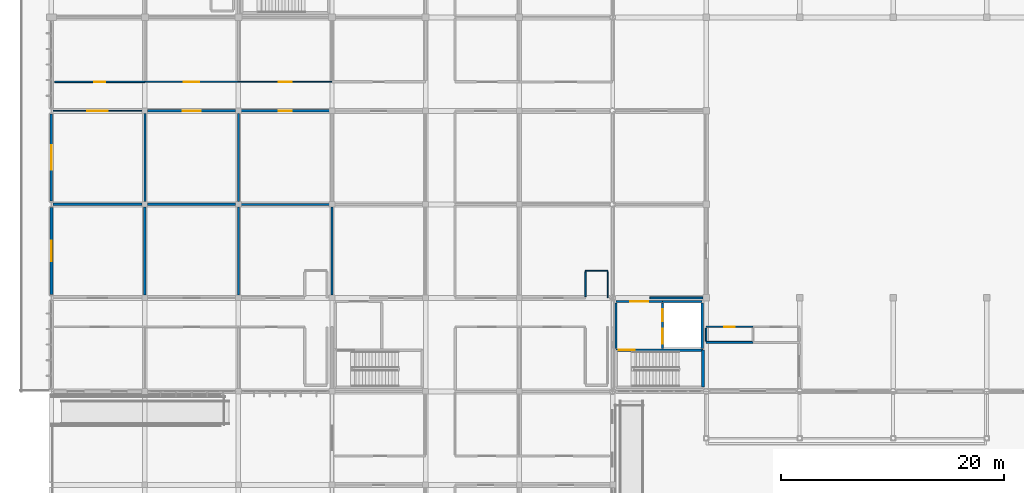
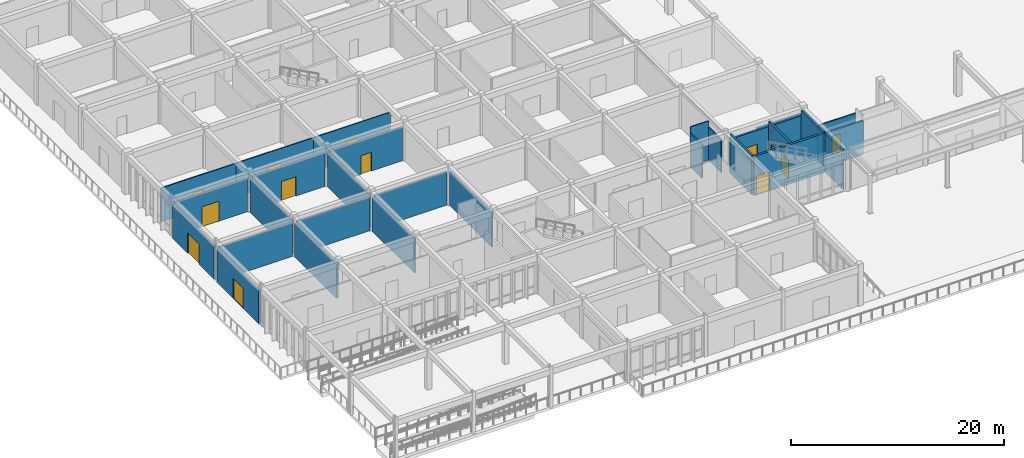
# One storey, part 91 of 138: 30 walls, 13 doors, 13 openings.
"""IFC4 building model written with IfcOpenShell, lengths in metres."""

from ifc_helpers import new_model, si_unit, direction, frame, frame_2d, origin, place, context, subcontext, project, spatial, rectangle, extrude, material, layer, layer_set, type_object, element, fill, save


model = new_model("IFC4")

# Units and contexts
model_context = context("Model", 3, precision=1e-05, world=origin(), true_north=direction((0.0, 1.0)))
body_context = subcontext(model_context, "Body", "Model", "MODEL_VIEW")
ifc_project = project(units=[si_unit("LENGTHUNIT", "METRE"), si_unit("AREAUNIT", "SQUARE_METRE"), si_unit("VOLUMEUNIT", "CUBIC_METRE"), si_unit("PLANEANGLEUNIT", "RADIAN"), si_unit("MASSUNIT", "GRAM", prefix="KILO")], contexts=[model_context])

# Site, building, storey
site_placement = place(None, origin())
site = spatial("IfcSite", under=ifc_project, at=site_placement, CompositionType="ELEMENT")
building_placement = place(site_placement, origin())
building = spatial("IfcBuilding", under=site, at=building_placement, Name="Bramfleet General Hospital", CompositionType="ELEMENT")
storey_placement = place(building_placement, origin())
storey = spatial("IfcBuildingStorey", under=building, at=storey_placement, Name="L00", CompositionType="ELEMENT", Elevation=0.0)

# Wall, opening, door
ifc_material_1 = material(Name="Precast concrete C40/50", Category="concrete")
ifc_layer_1 = layer(ifc_material_1, 0.25, Name="WT-EW-08")
ifc_layer_set_1 = layer_set([ifc_layer_1], Name="Precast concrete C40/50")
wall_type_1 = type_object("IfcWallType", Name="WT-EW-08", PredefinedType="SOLIDWALL", material=ifc_layer_set_1)
wall_1_placement = place(storey_placement, frame((0.0, 25.5, 0.0), z_axis=(0.0, 0.0, 1.0), x_axis=(0.0, 1.0, 0.0)))
wall_1 = element("IfcWall", 1, at=wall_1_placement, inside=storey, type_object=wall_type_1, Name="L00 Exterior Wall 97", PredefinedType="SOLIDWALL", context=body_context, shape_type="SweptSolid", body=[
    extrude(rectangle(XDim=7.800048828125, YDim=0.25, at=frame_2d((3.89990234375, 0.0))), origin(), (0.0, 0.0, 1.0), 3.7900390625),
])
opening_1_placement = place(wall_1_placement, frame((2.989990234375, 0.0, 0.0)))
opening_1 = element("IfcOpeningElement", 2, at=opening_1_placement, cuts=wall_1, Name="Opening D-L00-EXT-001", PredefinedType="OPENING", context=body_context, shape_type="SweptSolid", body=[
    extrude(rectangle(XDim=1.820068359375, YDim=2.280029296875, at=frame_2d((0.91015625, 1.14013671875))), frame((0.0, 0.135009765625, 0.0), z_axis=(0.0, -1.0, 0.0), x_axis=(1.0, 0.0, 0.0)), (0.0, 0.0, 1.0), 0.27001953125),
])
ifc_material_2 = material(Name="Thermally broken steel and laminated safety glass", Category="steel")
door_type_1 = type_object("IfcDoorType", Name="DR-ED-02", OperationType="NOTDEFINED", PredefinedType="DOOR", material=ifc_material_2)
door_1_placement = place(opening_1_placement, origin())
door_1 = element("IfcDoor", 3, at=door_1_placement, inside=storey, type_object=door_type_1, Name="Ground Exterior Pedestrian Door D-L00-EXT-001", OperationType="DOUBLE_SWING_LEFT", OverallHeight=2.280029296875, OverallWidth=1.820068359375, PredefinedType="DOOR", context=body_context, shape_type="SweptSolid", body=[
    extrude(rectangle(XDim=1.820068359375, YDim=2.280029296875, at=frame_2d((0.91015625, 1.14013671875))), frame((0.0, 0.02490234375, 0.0), z_axis=(0.0, -1.0, 0.0), x_axis=(1.0, 0.0, 0.0)), (0.0, 0.0, 1.0), 0.050048828125),
])
fill(opening_1, door_1)

ifc_layer_2 = layer(ifc_material_1, 0.235107421875, Name="WT-EW-09")
ifc_layer_set_2 = layer_set([ifc_layer_2], Name="Precast concrete C40/50")
wall_type_2 = type_object("IfcWallType", Name="WT-EW-09", PredefinedType="SOLIDWALL", material=ifc_layer_set_2)
wall_2_placement = place(storey_placement, frame((0.0, 33.89990234375, 0.0), z_axis=(0.0, 0.0, 1.0), x_axis=(0.0, 1.0, 0.0)))
wall_2 = element("IfcWall", 4, at=wall_2_placement, inside=storey, type_object=wall_type_2, Name="L00 Exterior Wall 98", PredefinedType="SOLIDWALL", context=body_context, shape_type="SweptSolid", body=[
    extrude(rectangle(XDim=7.800048828125, YDim=0.235107421875, at=frame_2d((3.89990234375, 0.0))), origin(), (0.0, 0.0, 1.0), 3.7900390625),
])
opening_2_placement = place(wall_2_placement, frame((2.800048828125, 0.0, 0.0)))
opening_2 = element("IfcOpeningElement", 5, at=opening_2_placement, cuts=wall_2, Name="Opening D-L00-EXT-002", PredefinedType="OPENING", context=body_context, shape_type="SweptSolid", body=[
    extrude(rectangle(XDim=2.199951171875, YDim=2.35009765625, at=frame_2d((1.10009765625, 1.175048828125))), frame((0.0, 0.12744140625, 0.0), z_axis=(0.0, -1.0, 0.0), x_axis=(1.0, 0.0, 0.0)), (0.0, 0.0, 1.0), 0.255126953125),
])
door_type_2 = type_object("IfcDoorType", Name="DR-ED-01", OperationType="NOTDEFINED", PredefinedType="DOOR", material=ifc_material_2)
door_2_placement = place(opening_2_placement, origin())
door_2 = element("IfcDoor", 6, at=door_2_placement, inside=storey, type_object=door_type_2, Name="Ground Exterior Pedestrian Door D-L00-EXT-002", OperationType="DOUBLE_SWING_LEFT", OverallHeight=2.35009765625, OverallWidth=2.199951171875, PredefinedType="DOOR", context=body_context, shape_type="SweptSolid", body=[
    extrude(rectangle(XDim=2.199951171875, YDim=2.35009765625, at=frame_2d((1.10009765625, 1.175048828125))), frame((0.0, 0.02490234375, 0.0), z_axis=(0.0, -1.0, 0.0), x_axis=(1.0, 0.0, 0.0)), (0.0, 0.0, 1.0), 0.050048828125),
])
fill(opening_2, door_2)

# Wall
ifc_material_3 = material(Name="Concrete C35/45", Category="concrete")
ifc_layer_3 = layer(ifc_material_3, 0.219970703125, Name="WT-IW-01")
ifc_layer_set_3 = layer_set([ifc_layer_3], Name="Concrete C35/45")
wall_type_3 = type_object("IfcWallType", Name="WT-IW-01", PredefinedType="PARTITIONING", material=ifc_layer_set_3)
wall_3_placement = place(storey_placement, frame((0.14501953125, 33.60009765625, 0.0), z_axis=(0.0, 0.0, 1.0), x_axis=(1.0, 0.0, 0.0)))
element("IfcWall", 7, at=wall_3_placement, inside=storey, type_object=wall_type_3, Name="L00 Interior Partition IW-L00-0673", PredefinedType="PARTITIONING", context=body_context, shape_type="SweptSolid", body=[
    extrude(rectangle(XDim=8.010009765625, YDim=0.219970703125, at=frame_2d((4.0048828125, 0.0))), origin(), (0.0, 0.0, 1.0), 3.840087890625),
])

# Wall, opening, door
wall_4_placement = place(storey_placement, frame((8.64501953125, 42.0, 0.0), z_axis=(0.0, 0.0, 1.0), x_axis=(1.0, 0.0, 0.0)))
wall_4 = element("IfcWall", 8, at=wall_4_placement, inside=storey, type_object=wall_type_3, Name="L00 Interior Partition IW-L00-0685", PredefinedType="PARTITIONING", context=body_context, shape_type="SweptSolid", body=[
    extrude(rectangle(XDim=7.909912109375, YDim=0.219970703125, at=frame_2d((3.955078125, 0.0))), origin(), (0.0, 0.0, 1.0), 3.840087890625),
])
opening_3_placement = place(wall_4_placement, frame((3.1650390625, 0.0, 0.0)))
opening_3 = element("IfcOpeningElement", 9, at=opening_3_placement, cuts=wall_4, Name="Opening D0416", PredefinedType="OPENING", context=body_context, shape_type="SweptSolid", body=[
    extrude(rectangle(XDim=1.580078125, YDim=2.219970703125, at=frame_2d((0.7900390625, 1.10986328125))), frame((0.0, 0.119873046875, 0.0), z_axis=(0.0, -1.0, 0.0), x_axis=(1.0, 0.0, 0.0)), (0.0, 0.0, 1.0), 0.239990234375),
])
ifc_material_4 = material(Name="Stainless steel and acoustic timber leaf", Category="steel")
door_type_3 = type_object("IfcDoorType", Name="DR-D-32", OperationType="NOTDEFINED", PredefinedType="DOOR", material=ifc_material_4)
door_3_placement = place(opening_3_placement, origin())
door_3 = element("IfcDoor", 10, at=door_3_placement, inside=storey, type_object=door_type_3, Name="Emergency Department Exam Room 0104 Door D0416", OperationType="DOUBLE_SWING_LEFT", OverallHeight=2.219970703125, OverallWidth=1.580078125, PredefinedType="DOOR", context=body_context, shape_type="SweptSolid", body=[
    extrude(rectangle(XDim=1.580078125, YDim=2.219970703125, at=frame_2d((0.7900390625, 1.10986328125))), frame((0.0, 0.02490234375, 0.0), z_axis=(0.0, -1.0, 0.0), x_axis=(1.0, 0.0, 0.0)), (0.0, 0.0, 1.0), 0.050048828125),
])
fill(opening_3, door_3)

# Wall
wall_5_placement = place(storey_placement, frame((8.39990234375, 25.445068359375, 0.0), z_axis=(0.0, 0.0, 1.0), x_axis=(0.0, 1.0, 0.0)))
element("IfcWall", 11, at=wall_5_placement, inside=storey, type_object=wall_type_3, Name="L00 Interior Partition IW-L00-0913", PredefinedType="PARTITIONING", context=body_context, shape_type="SweptSolid", body=[
    extrude(rectangle(XDim=7.909912109375, YDim=0.219970703125, at=frame_2d((3.955078125, 0.0))), origin(), (0.0, 0.0, 1.0), 3.889892578125),
])

# Wall, openings, doors
ifc_layer_4 = layer(ifc_material_3, 0.205078125, Name="WT-IW-02")
ifc_layer_set_4 = layer_set([ifc_layer_4], Name="Concrete C35/45")
wall_type_4 = type_object("IfcWallType", Name="WT-IW-02", PredefinedType="PARTITIONING", material=ifc_layer_set_4)
wall_6_placement = place(storey_placement, frame((54.8798828125, 20.639892578125, 0.0), z_axis=(0.0, 0.0, 1.0), x_axis=(0.0, 1.0, 0.0)))
wall_6 = element("IfcWall", 12, at=wall_6_placement, inside=storey, type_object=wall_type_4, Name="L00 C1 Lobby East Shaft Wall", PredefinedType="PARTITIONING", context=body_context, shape_type="SweptSolid", body=[
    extrude(rectangle(XDim=4.1201171875, YDim=0.205078125, at=frame_2d((2.06005859375, 0.0))), origin(), (0.0, 0.0, 1.0), 4.489990234375),
])
opening_4_placement = place(wall_6_placement, frame((0.445068359375, 0.0, 0.0)))
opening_4 = element("IfcOpeningElement", 13, at=opening_4_placement, cuts=wall_6, Name="Opening LD-BL-02-L00", PredefinedType="OPENING", context=body_context, shape_type="SweptSolid", body=[
    extrude(rectangle(XDim=1.35009765625, YDim=2.199951171875, at=frame_2d((0.675048828125, 1.10009765625))), frame((0.0, 0.112548828125, 0.0), z_axis=(0.0, -1.0, 0.0), x_axis=(1.0, 0.0, 0.0)), (0.0, 0.0, 1.0), 0.22509765625),
])
opening_5_placement = place(wall_6_placement, frame((2.449951171875, 0.0, 0.0)))
opening_5 = element("IfcOpeningElement", 14, at=opening_5_placement, cuts=wall_6, Name="Opening LD-PL-01-L00", PredefinedType="OPENING", context=body_context, shape_type="SweptSolid", body=[
    extrude(rectangle(XDim=1.10009765625, YDim=2.14990234375, at=frame_2d((0.550048828125, 1.074951171875))), frame((0.0, 0.112548828125, 0.0), z_axis=(0.0, -1.0, 0.0), x_axis=(1.0, 0.0, 0.0)), (0.0, 0.0, 1.0), 0.22509765625),
])
ifc_material_5 = material(Name="Brushed stainless steel 1.4301", Category="steel")
door_type_4 = type_object("IfcDoorType", Name="DR-LD-01", OperationType="NOTDEFINED", PredefinedType="DOOR", material=ifc_material_5)
door_4_placement = place(opening_4_placement, origin())
door_4 = element("IfcDoor", 15, at=door_4_placement, inside=storey, type_object=door_type_4, Name="L00 Lift BL-02 Sliding Landing Door", OperationType="SLIDING_TO_LEFT", OverallHeight=2.199951171875, OverallWidth=1.35009765625, PredefinedType="DOOR", context=body_context, shape_type="SweptSolid", body=[
    extrude(rectangle(XDim=1.35009765625, YDim=2.199951171875, at=frame_2d((0.675048828125, 1.10009765625))), frame((0.0, 0.02490234375, 0.0), z_axis=(0.0, -1.0, 0.0), x_axis=(1.0, 0.0, 0.0)), (0.0, 0.0, 1.0), 0.050048828125),
])
fill(opening_4, door_4)
door_type_5 = type_object("IfcDoorType", Name="DR-LD-02", OperationType="NOTDEFINED", PredefinedType="DOOR", material=ifc_material_5)
door_5_placement = place(opening_5_placement, origin())
door_5 = element("IfcDoor", 16, at=door_5_placement, inside=storey, type_object=door_type_5, Name="L00 Lift PL-01 Sliding Landing Door", OperationType="SLIDING_TO_LEFT", OverallHeight=2.14990234375, OverallWidth=1.10009765625, PredefinedType="DOOR", context=body_context, shape_type="SweptSolid", body=[
    extrude(rectangle(XDim=1.10009765625, YDim=2.14990234375, at=frame_2d((0.550048828125, 1.074951171875))), frame((0.0, 0.02490234375, 0.0), z_axis=(0.0, -1.0, 0.0), x_axis=(1.0, 0.0, 0.0)), (0.0, 0.0, 1.0), 0.050048828125),
])
fill(opening_5, door_5)

# Walls
wall_7_placement = place(storey_placement, frame((58.449951171875, 20.639892578125, 0.0), z_axis=(0.0, 0.0, 1.0), x_axis=(0.0, 1.0, 0.0)))
element("IfcWall", 17, at=wall_7_placement, inside=storey, type_object=wall_type_4, Name="L00 C1 Lift Shaft East Wall", PredefinedType="PARTITIONING", context=body_context, shape_type="SweptSolid", body=[
    extrude(rectangle(XDim=4.1201171875, YDim=0.205078125, at=frame_2d((2.06005859375, 0.0))), origin(), (0.0, 0.0, 1.0), 4.489990234375),
])
wall_8_placement = place(storey_placement, frame((54.8798828125, 24.8798828125, 0.0), z_axis=(0.0, 0.0, 1.0), x_axis=(1.0, 0.0, 0.0)))
element("IfcWall", 18, at=wall_8_placement, inside=storey, type_object=wall_type_4, Name="L00 C1 Lift Shaft North Wall", PredefinedType="PARTITIONING", context=body_context, shape_type="SweptSolid", body=[
    extrude(rectangle(XDim=3.570068359375, YDim=0.205078125, at=frame_2d((1.78515625, 0.0))), origin(), (0.0, 0.0, 1.0), 3.840087890625),
])
wall_9_placement = place(storey_placement, frame((50.699951171875, 20.639892578125, 0.0), z_axis=(0.0, 0.0, 1.0), x_axis=(0.0, 1.0, 0.0)))
element("IfcWall", 19, at=wall_9_placement, inside=storey, type_object=wall_type_4, Name="L00 C1 Lobby West Compartment Wall", PredefinedType="PARTITIONING", context=body_context, shape_type="SweptSolid", body=[
    extrude(rectangle(XDim=4.1201171875, YDim=0.205078125, at=frame_2d((2.06005859375, 0.0))), origin(), (0.0, 0.0, 1.0), 4.489990234375),
])

# Wall, opening, door
wall_10_placement = place(storey_placement, frame((50.699951171875, 24.8798828125, 0.0), z_axis=(0.0, 0.0, 1.0), x_axis=(1.0, 0.0, 0.0)))
wall_10 = element("IfcWall", 20, at=wall_10_placement, inside=storey, type_object=wall_type_4, Name="L00 C1 Lobby North Compartment Wall", PredefinedType="PARTITIONING", context=body_context, shape_type="SweptSolid", body=[
    extrude(rectangle(XDim=4.179931640625, YDim=0.205078125, at=frame_2d((2.08984375, 0.0))), origin(), (0.0, 0.0, 1.0), 3.840087890625),
])
opening_6_placement = place(wall_10_placement, frame((1.2900390625, 0.0, 0.0)))
opening_6 = element("IfcOpeningElement", 21, at=opening_6_placement, cuts=wall_10, Name="Opening D0004", PredefinedType="OPENING", context=body_context, shape_type="SweptSolid", body=[
    extrude(rectangle(XDim=1.60009765625, YDim=2.25, at=frame_2d((0.800048828125, 1.125))), frame((0.0, 0.112548828125, 0.0), z_axis=(0.0, -1.0, 0.0), x_axis=(1.0, 0.0, 0.0)), (0.0, 0.0, 1.0), 0.22509765625),
])
door_type_6 = type_object("IfcDoorType", Name="DR-D-04", OperationType="NOTDEFINED", PredefinedType="DOOR", material=ifc_material_4)
door_6_placement = place(opening_6_placement, origin())
door_6 = element("IfcDoor", 22, at=door_6_placement, inside=storey, type_object=door_type_6, Name="L00 C1 Lobby Fire Door D0004", OperationType="DOUBLE_SWING_LEFT", OverallHeight=2.25, OverallWidth=1.60009765625, PredefinedType="DOOR", context=body_context, shape_type="SweptSolid", body=[
    extrude(rectangle(XDim=1.60009765625, YDim=2.25, at=frame_2d((0.800048828125, 1.125))), frame((0.0, 0.02490234375, 0.0), z_axis=(0.0, -1.0, 0.0), x_axis=(1.0, 0.0, 0.0)), (0.0, 0.0, 1.0), 0.050048828125),
])
fill(opening_6, door_6)

# Wall
wall_11_placement = place(storey_placement, frame((8.64501953125, 33.60009765625, 0.0), z_axis=(0.0, 0.0, 1.0), x_axis=(1.0, 0.0, 0.0)))
element("IfcWall", 23, at=wall_11_placement, inside=storey, type_object=wall_type_4, Name="L00 Interior Partition IW-L00-0674", PredefinedType="PARTITIONING", context=body_context, shape_type="SweptSolid", body=[
    extrude(rectangle(XDim=7.909912109375, YDim=0.205078125, at=frame_2d((3.955078125, 0.0))), origin(), (0.0, 0.0, 1.0), 3.840087890625),
])

# Wall, opening, door
wall_12_placement = place(storey_placement, frame((17.044921875, 42.0, 0.0), z_axis=(0.0, 0.0, 1.0), x_axis=(1.0, 0.0, 0.0)))
wall_12 = element("IfcWall", 24, at=wall_12_placement, inside=storey, type_object=wall_type_4, Name="L00 Interior Partition IW-L00-0686", PredefinedType="PARTITIONING", context=body_context, shape_type="SweptSolid", body=[
    extrude(rectangle(XDim=7.91015625, YDim=0.205078125, at=frame_2d((3.955078125, 0.0))), origin(), (0.0, 0.0, 1.0), 3.840087890625),
])
opening_7_placement = place(wall_12_placement, frame((3.3798828125, 0.0, 0.0)))
opening_7 = element("IfcOpeningElement", 25, at=opening_7_placement, cuts=wall_12, Name="Opening D0428", PredefinedType="OPENING", context=body_context, shape_type="SweptSolid", body=[
    extrude(rectangle(XDim=1.14990234375, YDim=2.14990234375, at=frame_2d((0.574951171875, 1.074951171875))), frame((0.0, 0.112548828125, 0.0), z_axis=(0.0, -1.0, 0.0), x_axis=(1.0, 0.0, 0.0)), (0.0, 0.0, 1.0), 0.22509765625),
])
door_type_7 = type_object("IfcDoorType", Name="DR-D-12", OperationType="NOTDEFINED", PredefinedType="DOOR", material=ifc_material_4)
door_7_placement = place(opening_7_placement, origin())
door_7 = element("IfcDoor", 26, at=door_7_placement, inside=storey, type_object=door_type_7, Name="Emergency Department Exam Room 0204 Door D0428", OperationType="SINGLE_SWING_LEFT", OverallHeight=2.14990234375, OverallWidth=1.14990234375, PredefinedType="DOOR", context=body_context, shape_type="SweptSolid", body=[
    extrude(rectangle(XDim=1.14990234375, YDim=2.14990234375, at=frame_2d((0.574951171875, 1.074951171875))), frame((0.0, 0.02490234375, 0.0), z_axis=(0.0, -1.0, 0.0), x_axis=(1.0, 0.0, 0.0)), (0.0, 0.0, 1.0), 0.050048828125),
])
fill(opening_7, door_7)

# Walls
wall_13_placement = place(storey_placement, frame((8.39990234375, 33.844970703125, 0.0), z_axis=(0.0, 0.0, 1.0), x_axis=(0.0, 1.0, 0.0)))
element("IfcWall", 27, at=wall_13_placement, inside=storey, type_object=wall_type_4, Name="L00 Interior Partition IW-L00-0914", PredefinedType="PARTITIONING", context=body_context, shape_type="SweptSolid", body=[
    extrude(rectangle(XDim=7.909912109375, YDim=0.205078125, at=frame_2d((3.955078125, 0.0))), origin(), (0.0, 0.0, 1.0), 3.889892578125),
])
ifc_layer_5 = layer(ifc_material_3, 0.18994140625, Name="WT-IW-03")
ifc_layer_set_5 = layer_set([ifc_layer_5], Name="Concrete C35/45")
wall_type_5 = type_object("IfcWallType", Name="WT-IW-03", PredefinedType="PARTITIONING", material=ifc_layer_set_5)
wall_14_placement = place(storey_placement, frame((17.044921875, 33.60009765625, 0.0), z_axis=(0.0, 0.0, 1.0), x_axis=(1.0, 0.0, 0.0)))
element("IfcWall", 28, at=wall_14_placement, inside=storey, type_object=wall_type_5, Name="L00 Interior Partition IW-L00-0675", PredefinedType="PARTITIONING", context=body_context, shape_type="SweptSolid", body=[
    extrude(rectangle(XDim=7.91015625, YDim=0.18994140625, at=frame_2d((3.955078125, 0.0))), origin(), (0.0, 0.0, 1.0), 3.840087890625),
])
wall_15_placement = place(storey_placement, frame((16.800048828125, 25.445068359375, 0.0), z_axis=(0.0, 0.0, 1.0), x_axis=(0.0, 1.0, 0.0)))
element("IfcWall", 29, at=wall_15_placement, inside=storey, type_object=wall_type_5, Name="L00 Interior Partition IW-L00-0927", PredefinedType="PARTITIONING", context=body_context, shape_type="SweptSolid", body=[
    extrude(rectangle(XDim=7.909912109375, YDim=0.18994140625, at=frame_2d((3.955078125, 0.0))), origin(), (0.0, 0.0, 1.0), 3.889892578125),
])
ifc_layer_6 = layer(ifc_material_3, 0.179931640625, Name="WT-IW-04")
ifc_layer_set_6 = layer_set([ifc_layer_6], Name="Concrete C35/45")
wall_type_6 = type_object("IfcWallType", Name="WT-IW-04", PredefinedType="PARTITIONING", material=ifc_layer_set_6)
wall_16_placement = place(storey_placement, frame((16.800048828125, 33.844970703125, 0.0), z_axis=(0.0, 0.0, 1.0), x_axis=(0.0, 1.0, 0.0)))
element("IfcWall", 30, at=wall_16_placement, inside=storey, type_object=wall_type_6, Name="L00 Interior Partition IW-L00-0928", PredefinedType="PARTITIONING", context=body_context, shape_type="SweptSolid", body=[
    extrude(rectangle(XDim=7.909912109375, YDim=0.179931640625, at=frame_2d((3.955078125, 0.0))), origin(), (0.0, 0.0, 1.0), 3.889892578125),
])
ifc_material_6 = material(Name="Gypsum plasterboard on acoustic steel studs", Category="steel")
ifc_layer_7 = layer(ifc_material_6, 0.169921875, Name="WT-IW-05")
ifc_layer_set_7 = layer_set([ifc_layer_7], Name="Gypsum plasterboard on acoustic steel studs")
wall_type_7 = type_object("IfcWallType", Name="WT-IW-05", PredefinedType="PARTITIONING", material=ifc_layer_set_7)
wall_17_placement = place(storey_placement, frame((58.800048828125, 21.199951171875, 0.0), z_axis=(0.0, 0.0, 1.0), x_axis=(1.0, 0.0, 0.0)))
element("IfcWall", 31, at=wall_17_placement, inside=storey, type_object=wall_type_7, Name="L00 Interior Partition IW-L00-0641", PredefinedType="PARTITIONING", context=body_context, shape_type="SweptSolid", body=[
    extrude(rectangle(XDim=4.199951171875, YDim=0.169921875, at=frame_2d((2.10009765625, 0.0))), origin(), (0.0, 0.0, 1.0), 3.889892578125),
])
wall_18_placement = place(storey_placement, frame((53.75, 25.199951171875, 0.0), z_axis=(0.0, 0.0, 1.0), x_axis=(1.0, 0.0, 0.0)))
element("IfcWall", 32, at=wall_18_placement, inside=storey, type_object=wall_type_7, Name="L00 Interior Partition IW-L00-0665", PredefinedType="PARTITIONING", context=body_context, shape_type="SweptSolid", body=[
    extrude(rectangle(XDim=4.7548828125, YDim=0.169921875, at=frame_2d((2.37744140625, 0.0))), origin(), (0.0, 0.0, 1.0), 3.840087890625),
])
ifc_layer_8 = layer(ifc_material_6, 0.14990234375, Name="WT-IW-07")
ifc_layer_set_8 = layer_set([ifc_layer_8], Name="Gypsum plasterboard on acoustic steel studs")
wall_type_8 = type_object("IfcWallType", Name="WT-IW-07", PredefinedType="PARTITIONING", material=ifc_layer_set_8)
wall_19_placement = place(storey_placement, frame((25.199951171875, 25.445068359375, 0.0), z_axis=(0.0, 0.0, 1.0), x_axis=(0.0, 1.0, 0.0)))
element("IfcWall", 33, at=wall_19_placement, inside=storey, type_object=wall_type_8, Name="L00 Interior Partition IW-L00-0943", PredefinedType="PARTITIONING", context=body_context, shape_type="SweptSolid", body=[
    extrude(rectangle(XDim=7.909912109375, YDim=0.14990234375, at=frame_2d((3.955078125, 0.0))), origin(), (0.0, 0.0, 1.0), 3.889892578125),
])
ifc_layer_9 = layer(ifc_material_6, 0.139892578125, Name="WT-IW-08")
ifc_layer_set_9 = layer_set([ifc_layer_9], Name="Gypsum plasterboard on acoustic steel studs")
wall_type_9 = type_object("IfcWallType", Name="WT-IW-08", PredefinedType="PARTITIONING", material=ifc_layer_set_9)
wall_20_placement = place(storey_placement, frame((47.949951171875, 25.31494140625, 0.0), z_axis=(0.0, 0.0, 1.0), x_axis=(0.0, 1.0, 0.0)))
element("IfcWall", 34, at=wall_20_placement, inside=storey, type_object=wall_type_9, Name="L00 Interior Partition IW-L00-1004", PredefinedType="PARTITIONING", context=body_context, shape_type="SweptSolid", body=[
    extrude(rectangle(XDim=2.219970703125, YDim=0.139892578125, at=frame_2d((1.10986328125, 0.0))), origin(), (0.0, 0.0, 1.0), 3.840087890625),
])

# Wall, opening, door
ifc_layer_10 = layer(ifc_material_6, 0.1201171875, Name="WT-IW-10")
ifc_layer_set_10 = layer_set([ifc_layer_10], Name="Gypsum plasterboard on acoustic steel studs")
wall_type_10 = type_object("IfcWallType", Name="WT-IW-10", PredefinedType="PARTITIONING", material=ifc_layer_set_10)
wall_21_placement = place(storey_placement, frame((58.800048828125, 22.60009765625, 0.0), z_axis=(0.0, 0.0, 1.0), x_axis=(1.0, 0.0, 0.0)))
wall_21 = element("IfcWall", 35, at=wall_21_placement, inside=storey, type_object=wall_type_10, Name="L00 Interior Partition IW-L00-0648", PredefinedType="PARTITIONING", context=body_context, shape_type="SweptSolid", body=[
    extrude(rectangle(XDim=4.199951171875, YDim=0.1201171875, at=frame_2d((2.10009765625, 0.0))), origin(), (0.0, 0.0, 1.0), 3.889892578125),
])
opening_8_placement = place(wall_21_placement, frame((1.625, 0.0, 0.0)))
opening_8 = element("IfcOpeningElement", 36, at=opening_8_placement, cuts=wall_21, Name="Opening D0486", PredefinedType="OPENING", context=body_context, shape_type="SweptSolid", body=[
    extrude(rectangle(XDim=0.949951171875, YDim=2.10009765625, at=frame_2d((0.47509765625, 1.050048828125))), frame((0.0, 0.070068359375, 0.0), z_axis=(0.0, -1.0, 0.0), x_axis=(1.0, 0.0, 0.0)), (0.0, 0.0, 1.0), 0.14013671875),
])
door_type_8 = type_object("IfcDoorType", Name="DR-D-10", OperationType="NOTDEFINED", PredefinedType="DOOR", material=ifc_material_4)
door_8_placement = place(opening_8_placement, origin())
door_8 = element("IfcDoor", 37, at=door_8_placement, inside=storey, type_object=door_type_8, Name="Main Hall Accessible WC Door D0486", OperationType="SINGLE_SWING_LEFT", OverallHeight=2.10009765625, OverallWidth=0.949951171875, PredefinedType="DOOR", context=body_context, shape_type="SweptSolid", body=[
    extrude(rectangle(XDim=0.949951171875, YDim=2.10009765625, at=frame_2d((0.47509765625, 1.050048828125))), frame((0.0, 0.02490234375, 0.0), z_axis=(0.0, -1.0, 0.0), x_axis=(1.0, 0.0, 0.0)), (0.0, 0.0, 1.0), 0.050048828125),
])
fill(opening_8, door_8)

wall_22_placement = place(storey_placement, frame((0.280029296875, 44.60009765625, 0.0), z_axis=(0.0, 0.0, 1.0), x_axis=(1.0, 0.0, 0.0)))
wall_22 = element("IfcWall", 38, at=wall_22_placement, inside=storey, type_object=wall_type_10, Name="L00 Interior Partition IW-L00-0694", PredefinedType="PARTITIONING", context=body_context, shape_type="SweptSolid", body=[
    extrude(rectangle(XDim=8.119873046875, YDim=0.1201171875, at=frame_2d((4.06005859375, 0.0))), origin(), (0.0, 0.0, 1.0), 3.889892578125),
])
opening_9_placement = place(wall_22_placement, frame((3.550048828125, 0.0, 0.0)))
opening_9 = element("IfcOpeningElement", 39, at=opening_9_placement, cuts=wall_22, Name="Opening D0405", PredefinedType="OPENING", context=body_context, shape_type="SweptSolid", body=[
    extrude(rectangle(XDim=1.02001953125, YDim=2.1201171875, at=frame_2d((0.510009765625, 1.06005859375))), frame((0.0, 0.070068359375, 0.0), z_axis=(0.0, -1.0, 0.0), x_axis=(1.0, 0.0, 0.0)), (0.0, 0.0, 1.0), 0.14013671875),
])
door_type_9 = type_object("IfcDoorType", Name="DR-D-21", OperationType="NOTDEFINED", PredefinedType="DOOR", material=ifc_material_4)
door_9_placement = place(opening_9_placement, origin())
door_9 = element("IfcDoor", 40, at=door_9_placement, inside=storey, type_object=door_type_9, Name="Emergency Department Exam Room 0005 Door D0405", OperationType="SINGLE_SWING_RIGHT", OverallHeight=2.1201171875, OverallWidth=1.02001953125, PredefinedType="DOOR", context=body_context, shape_type="SweptSolid", body=[
    extrude(rectangle(XDim=1.02001953125, YDim=2.1201171875, at=frame_2d((0.510009765625, 1.06005859375))), frame((0.0, 0.02490234375, 0.0), z_axis=(0.0, -1.0, 0.0), x_axis=(1.0, 0.0, 0.0)), (0.0, 0.0, 1.0), 0.050048828125),
])
fill(opening_9, door_9)

# Wall
wall_23_placement = place(storey_placement, frame((58.800048828125, 21.31494140625, 0.0), z_axis=(0.0, 0.0, 1.0), x_axis=(0.0, 1.0, 0.0)))
element("IfcWall", 41, at=wall_23_placement, inside=storey, type_object=wall_type_10, Name="L00 Interior Partition IW-L00-1025", PredefinedType="PARTITIONING", context=body_context, shape_type="SweptSolid", body=[
    extrude(rectangle(XDim=1.170166015625, YDim=0.1201171875, at=frame_2d((0.5849609375, 0.0))), origin(), (0.0, 0.0, 1.0), 3.889892578125),
])

# Wall, opening, door
ifc_layer_11 = layer(ifc_material_6, 0.112060546875, Name="WT-IW-11")
ifc_layer_set_11 = layer_set([ifc_layer_11], Name="Gypsum plasterboard on acoustic steel studs")
wall_type_11 = type_object("IfcWallType", Name="WT-IW-11", PredefinedType="PARTITIONING", material=ifc_layer_set_11)
wall_24_placement = place(storey_placement, frame((8.39990234375, 44.60009765625, 0.0), z_axis=(0.0, 0.0, 1.0), x_axis=(1.0, 0.0, 0.0)))
wall_24 = element("IfcWall", 42, at=wall_24_placement, inside=storey, type_object=wall_type_11, Name="L00 Interior Partition IW-L00-0695", PredefinedType="PARTITIONING", context=body_context, shape_type="SweptSolid", body=[
    extrude(rectangle(XDim=8.400146484375, YDim=0.112060546875, at=frame_2d((4.2001953125, 0.0))), origin(), (0.0, 0.0, 1.0), 3.889892578125),
])
opening_10_placement = place(wall_24_placement, frame((3.5, 0.0, 0.0)))
opening_10 = element("IfcOpeningElement", 43, at=opening_10_placement, cuts=wall_24, Name="Opening D0417", PredefinedType="OPENING", context=body_context, shape_type="SweptSolid", body=[
    extrude(rectangle(XDim=1.39990234375, YDim=2.199951171875, at=frame_2d((0.699951171875, 1.10009765625))), frame((0.0, 0.06591796875, 0.0), z_axis=(0.0, -1.0, 0.0), x_axis=(1.0, 0.0, 0.0)), (0.0, 0.0, 1.0), 0.132080078125),
])
door_type_10 = type_object("IfcDoorType", Name="DR-D-01", OperationType="NOTDEFINED", PredefinedType="DOOR", material=ifc_material_4)
door_10_placement = place(opening_10_placement, origin())
door_10 = element("IfcDoor", 44, at=door_10_placement, inside=storey, type_object=door_type_10, Name="Emergency Department Exam Room 0105 Door D0417", OperationType="SINGLE_SWING_RIGHT", OverallHeight=2.199951171875, OverallWidth=1.39990234375, PredefinedType="DOOR", context=body_context, shape_type="SweptSolid", body=[
    extrude(rectangle(XDim=1.39990234375, YDim=2.199951171875, at=frame_2d((0.699951171875, 1.10009765625))), frame((0.0, 0.02490234375, 0.0), z_axis=(0.0, -1.0, 0.0), x_axis=(1.0, 0.0, 0.0)), (0.0, 0.0, 1.0), 0.050048828125),
])
fill(opening_10, door_10)

# Wall
ifc_layer_12 = layer(ifc_material_6, 0.10009765625, Name="WT-IW-12")
ifc_layer_set_12 = layer_set([ifc_layer_12], Name="Gypsum plasterboard on acoustic steel studs")
wall_type_12 = type_object("IfcWallType", Name="WT-IW-12", PredefinedType="PARTITIONING", material=ifc_layer_set_12)
wall_25_placement = place(storey_placement, frame((47.949951171875, 27.64990234375, 0.0), z_axis=(0.0, 0.0, 1.0), x_axis=(1.0, 0.0, 0.0)))
element("IfcWall", 45, at=wall_25_placement, inside=storey, type_object=wall_type_12, Name="L00 Interior Partition IW-L00-0672", PredefinedType="PARTITIONING", context=body_context, shape_type="SweptSolid", body=[
    extrude(rectangle(XDim=2.0, YDim=0.10009765625, at=frame_2d((1.0, 0.0))), origin(), (0.0, 0.0, 1.0), 4.489990234375),
])

# Wall, opening, door
wall_26_placement = place(storey_placement, frame((0.14501953125, 42.0, 0.0), z_axis=(0.0, 0.0, 1.0), x_axis=(1.0, 0.0, 0.0)))
wall_26 = element("IfcWall", 46, at=wall_26_placement, inside=storey, type_object=wall_type_12, Name="L00 Interior Partition IW-L00-0684", PredefinedType="PARTITIONING", context=body_context, shape_type="SweptSolid", body=[
    extrude(rectangle(XDim=8.010009765625, YDim=0.10009765625, at=frame_2d((4.0048828125, 0.0))), origin(), (0.0, 0.0, 1.0), 3.840087890625),
])
opening_11_placement = place(wall_26_placement, frame((3.0849609375, 0.0, 0.0)))
opening_11 = element("IfcOpeningElement", 47, at=opening_11_placement, cuts=wall_26, Name="Opening D0404", PredefinedType="OPENING", context=body_context, shape_type="SweptSolid", body=[
    extrude(rectangle(XDim=1.840087890625, YDim=2.280029296875, at=frame_2d((0.919921875, 1.14013671875))), frame((0.0, 0.06005859375, 0.0), z_axis=(0.0, -1.0, 0.0), x_axis=(1.0, 0.0, 0.0)), (0.0, 0.0, 1.0), 0.1201171875),
])
door_type_11 = type_object("IfcDoorType", Name="DR-D-20", OperationType="NOTDEFINED", PredefinedType="DOOR", material=ifc_material_4)
door_11_placement = place(opening_11_placement, origin())
door_11 = element("IfcDoor", 48, at=door_11_placement, inside=storey, type_object=door_type_11, Name="Emergency Department Exam Room 0004 Door D0404", OperationType="DOUBLE_SWING_LEFT", OverallHeight=2.280029296875, OverallWidth=1.840087890625, PredefinedType="DOOR", context=body_context, shape_type="SweptSolid", body=[
    extrude(rectangle(XDim=1.840087890625, YDim=2.280029296875, at=frame_2d((0.919921875, 1.14013671875))), frame((0.0, 0.02490234375, 0.0), z_axis=(0.0, -1.0, 0.0), x_axis=(1.0, 0.0, 0.0)), (0.0, 0.0, 1.0), 0.050048828125),
])
fill(opening_11, door_11)

wall_27_placement = place(storey_placement, frame((16.800048828125, 44.60009765625, 0.0), z_axis=(0.0, 0.0, 1.0), x_axis=(1.0, 0.0, 0.0)))
wall_27 = element("IfcWall", 49, at=wall_27_placement, inside=storey, type_object=wall_type_12, Name="L00 Interior Partition IW-L00-0696", PredefinedType="PARTITIONING", context=body_context, shape_type="SweptSolid", body=[
    extrude(rectangle(XDim=8.39990234375, YDim=0.10009765625, at=frame_2d((4.199951171875, 0.0))), origin(), (0.0, 0.0, 1.0), 3.889892578125),
])
opening_12_placement = place(wall_27_placement, frame((3.60009765625, 0.0, 0.0)))
opening_12 = element("IfcOpeningElement", 50, at=opening_12_placement, cuts=wall_27, Name="Opening D0429", PredefinedType="OPENING", context=body_context, shape_type="SweptSolid", body=[
    extrude(rectangle(XDim=1.199951171875, YDim=2.14990234375, at=frame_2d((0.60009765625, 1.074951171875))), frame((0.0, 0.06005859375, 0.0), z_axis=(0.0, -1.0, 0.0), x_axis=(1.0, 0.0, 0.0)), (0.0, 0.0, 1.0), 0.1201171875),
])
door_type_12 = type_object("IfcDoorType", Name="DR-D-13", OperationType="NOTDEFINED", PredefinedType="DOOR", material=ifc_material_4)
door_12_placement = place(opening_12_placement, origin())
door_12 = element("IfcDoor", 51, at=door_12_placement, inside=storey, type_object=door_type_12, Name="Emergency Department Exam Room 0205 Door D0429", OperationType="SINGLE_SWING_RIGHT", OverallHeight=2.14990234375, OverallWidth=1.199951171875, PredefinedType="DOOR", context=body_context, shape_type="SweptSolid", body=[
    extrude(rectangle(XDim=1.199951171875, YDim=2.14990234375, at=frame_2d((0.60009765625, 1.074951171875))), frame((0.0, 0.02490234375, 0.0), z_axis=(0.0, -1.0, 0.0), x_axis=(1.0, 0.0, 0.0)), (0.0, 0.0, 1.0), 0.050048828125),
])
fill(opening_12, door_12)

# Walls
wall_28_placement = place(storey_placement, frame((49.949951171875, 25.199951171875, 0.0), z_axis=(0.0, 0.0, 1.0), x_axis=(0.0, 1.0, 0.0)))
element("IfcWall", 52, at=wall_28_placement, inside=storey, type_object=wall_type_12, Name="L00 Interior Partition IW-L00-1008", PredefinedType="PARTITIONING", context=body_context, shape_type="SweptSolid", body=[
    extrude(rectangle(XDim=2.3349609375, YDim=0.10009765625, at=frame_2d((1.16748046875, 0.0))), origin(), (0.0, 0.0, 1.0), 3.840087890625),
])
ifc_material_7 = material(Name="Concrete C40/50", Category="concrete")
ifc_layer_13 = layer(ifc_material_7, 0.239990234375, Name="WT-SW-240")
ifc_layer_set_13 = layer_set([ifc_layer_13], Name="Concrete C40/50")
wall_type_13 = type_object("IfcWallType", Name="WT-SW-240", PredefinedType="SHEAR", material=ifc_layer_set_13)
wall_29_placement = place(storey_placement, frame((58.52001953125, 17.179931640625, 0.0), z_axis=(0.0, 0.0, 1.0), x_axis=(0.0, 1.0, 0.0)))
element("IfcWall", 53, at=wall_29_placement, inside=storey, type_object=wall_type_13, Name="L00 C1 East Stair Shear Wall", PredefinedType="SHEAR", context=body_context, shape_type="SweptSolid", body=[
    extrude(rectangle(XDim=3.320068359375, YDim=0.239990234375, at=frame_2d((1.66015625, 0.0))), origin(), (0.0, 0.0, 1.0), 4.5),
])

# Wall, opening, door
wall_30_placement = place(storey_placement, frame((50.699951171875, 20.5, 0.0), z_axis=(0.0, 0.0, 1.0), x_axis=(1.0, 0.0, 0.0)))
wall_30 = element("IfcWall", 54, at=wall_30_placement, inside=storey, type_object=wall_type_13, Name="L00 C1 Stair-Lobby Shear Wall", PredefinedType="SHEAR", context=body_context, shape_type="SweptSolid", body=[
    extrude(rectangle(XDim=7.820068359375, YDim=0.239990234375, at=frame_2d((3.91015625, 0.0))), origin(), (0.0, 0.0, 1.0), 4.5),
])
opening_13_placement = place(wall_30_placement, frame((0.25, 0.0, 0.0)))
opening_13 = element("IfcOpeningElement", 55, at=opening_13_placement, cuts=wall_30, Name="Opening D0003", PredefinedType="OPENING", context=body_context, shape_type="SweptSolid", body=[
    extrude(rectangle(XDim=1.449951171875, YDim=2.199951171875, at=frame_2d((0.72509765625, 1.10009765625))), frame((0.0, 0.1298828125, 0.0), z_axis=(0.0, -1.0, 0.0), x_axis=(1.0, 0.0, 0.0)), (0.0, 0.0, 1.0), 0.260009765625),
])
door_type_13 = type_object("IfcDoorType", Name="DR-D-03", OperationType="NOTDEFINED", PredefinedType="DOOR", material=ifc_material_4)
door_13_placement = place(opening_13_placement, origin())
door_13 = element("IfcDoor", 56, at=door_13_placement, inside=storey, type_object=door_type_13, Name="L00 C1 Escape Stair Fire Door D0003", OperationType="SINGLE_SWING_RIGHT", OverallHeight=2.199951171875, OverallWidth=1.449951171875, PredefinedType="DOOR", context=body_context, shape_type="SweptSolid", body=[
    extrude(rectangle(XDim=1.449951171875, YDim=2.199951171875, at=frame_2d((0.72509765625, 1.10009765625))), frame((0.0, 0.02490234375, 0.0), z_axis=(0.0, -1.0, 0.0), x_axis=(1.0, 0.0, 0.0)), (0.0, 0.0, 1.0), 0.050048828125),
])
fill(opening_13, door_13)

save(model, "model.ifc")
